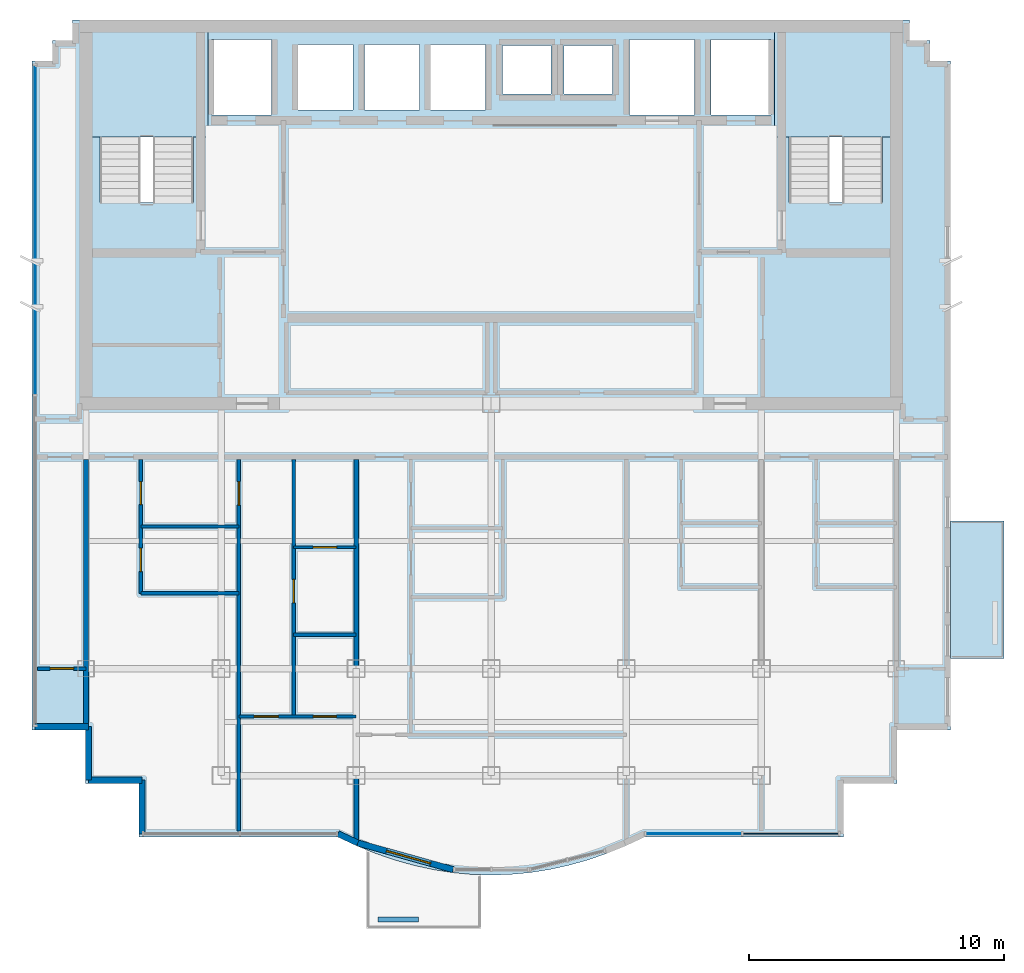
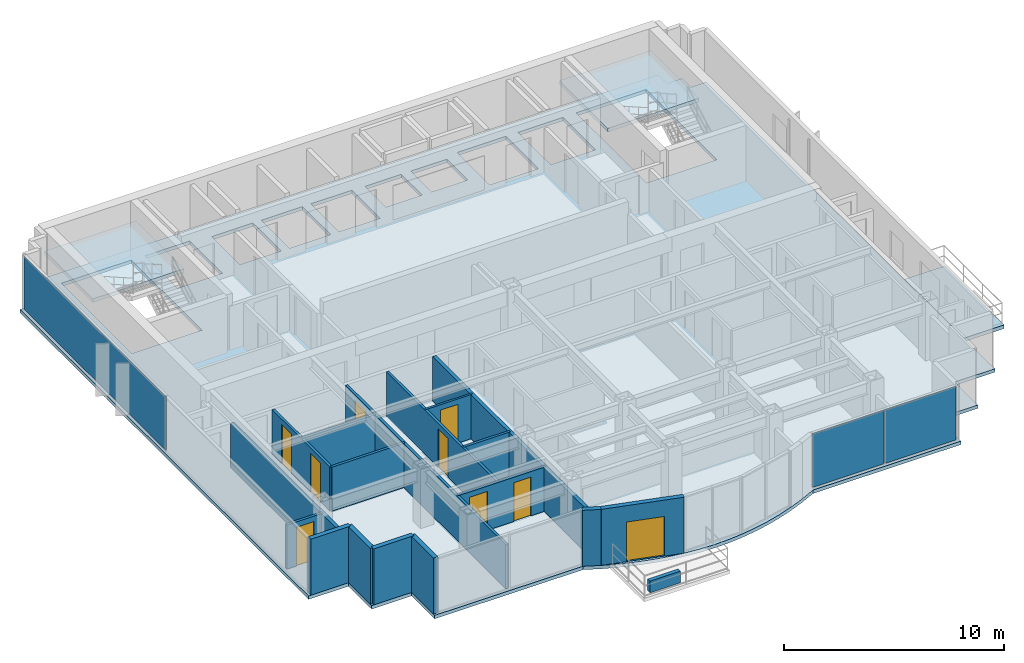
# One storey, part 4 of 9: 18 walls, 9 doors, 4 slabs, 3 plates, 9 openings, 4 elements without a shape of their own.
"""IFC4 building model written with IfcOpenShell, lengths in metres."""

import ifcopenshell
import ifcopenshell.guid

model = None  # the IFC model being written
_history = None  # IfcOwnerHistory: only IFC2X3 demands one
_inside = {}  # id of a spatial element -> (the spatial element, [elements in it])
_under = {}  # id of a project, library or spatial element -> (it, [spatial elements below it])
_declared = {}  # id of a project -> (the project, [libraries it declares])
_typed = {}  # id of a type object -> (the type object, [elements of that type])
_made_of = {}  # id of a material, layer set ... -> (it, [elements and type objects made of it])


def new_model(schema):
    """Start an empty IFC model of exactly this schema.

    Asked for "IFC4X3", IfcOpenShell would pick the latest addendum, in which some entities
    have other attributes; the version numbers below select the first issue.
    IFC2X3 requires an IfcOwnerHistory on every rooted entity: one is made here for all.
    """
    global model, _history
    if schema == "IFC4X3":
        model = ifcopenshell.file(schema_version=(4, 3, 0, 0))
    else:
        model = ifcopenshell.file(schema=schema)
    _inside.clear()
    _under.clear()
    _declared.clear()
    _typed.clear()
    _made_of.clear()
    _history = None
    if model.schema == "IFC2X3":
        org = make("IfcOrganization", Name="unknown")
        user = make(
            "IfcPersonAndOrganization",
            ThePerson=make("IfcPerson", FamilyName="unknown"),
            TheOrganization=org,
        )
        app = make(
            "IfcApplication",
            ApplicationDeveloper=org,
            Version="unknown",
            ApplicationFullName="unknown",
            ApplicationIdentifier="unknown",
        )
        _history = make(
            "IfcOwnerHistory",
            OwningUser=user,
            OwningApplication=app,
            ChangeAction="ADDED",
            CreationDate=0,
        )
    return model


def make(cls, **values):
    """One entity of the class cls with the attributes given. An attribute that is None is left unset."""
    return model.create_entity(
        cls, **{name: value for name, value in values.items() if value is not None}
    )


def rooted(cls, **values):
    """An entity with a GlobalId (a new one), such as an element, a storey or a relation."""
    return make(cls, GlobalId=ifcopenshell.guid.new(), OwnerHistory=_history, **values)


def si_unit(unit_type, name, prefix=None):
    """IfcSIUnit, for example si_unit("LENGTHUNIT", "METRE", prefix="MILLI")."""
    return make("IfcSIUnit", UnitType=unit_type, Prefix=prefix, Name=name)


def assignment(units):
    """IfcUnitAssignment: the units of a project."""
    return None if units is None else make("IfcUnitAssignment", Units=units)


def point(xyz):
    """IfcCartesianPoint."""
    return None if xyz is None else make("IfcCartesianPoint", Coordinates=xyz)


def direction(xyz):
    """IfcDirection."""
    return None if xyz is None else make("IfcDirection", DirectionRatios=xyz)


def frame(location, z_axis=None, x_axis=None):
    """IfcAxis2Placement3D, a coordinate frame: its origin and axes. An axis left out is left unset."""
    return make(
        "IfcAxis2Placement3D",
        Location=point(location),
        Axis=direction(z_axis),
        RefDirection=direction(x_axis),
    )


def frame_2d(location, x_axis=None):
    """IfcAxis2Placement2D, a coordinate frame in the plane: its origin and x axis."""
    return make(
        "IfcAxis2Placement2D", Location=point(location), RefDirection=direction(x_axis)
    )


def origin():
    """The frame at (0, 0, 0) with its axes left unset."""
    return frame((0.0, 0.0, 0.0))


def origin_2d():
    """The frame at (0, 0) in the plane with its x axis left unset."""
    return frame_2d((0.0, 0.0))


def place(relative_to, where):
    """IfcLocalPlacement: puts the frame where relative to a parent placement (None: the world)."""
    return make(
        "IfcLocalPlacement", PlacementRelTo=relative_to, RelativePlacement=where
    )


def context(
    kind, dimensions, precision=None, world=None, true_north=None, identifier=None
):
    """IfcGeometricRepresentationContext, for example the 3D "Model" context."""
    return make(
        "IfcGeometricRepresentationContext",
        ContextIdentifier=identifier,
        ContextType=kind,
        CoordinateSpaceDimension=dimensions,
        Precision=precision,
        WorldCoordinateSystem=world,
        TrueNorth=true_north,
    )


def subcontext(parent, identifier, kind, view, scale=None):
    """IfcGeometricRepresentationSubContext, for example "Body" below "Model"."""
    return make(
        "IfcGeometricRepresentationSubContext",
        ContextIdentifier=identifier,
        ContextType=kind,
        ParentContext=parent,
        TargetScale=scale,
        TargetView=view,
    )


def project(units=None, contexts=None):
    """IfcProject with its units and contexts."""
    return rooted(
        "IfcProject",
        Name="project",
        RepresentationContexts=contexts,
        UnitsInContext=assignment(units),
    )


def spatial(cls, under=None, at=None, **own):
    """A site, building, storey or space (cls), placed at a placement, below another one or the project."""
    s = rooted(cls, ObjectPlacement=at, **own)
    if under is not None:
        _under.setdefault(under.id(), (under, []))[1].append(s)
    return s


def polyline(points):
    """IfcPolyline through the points."""
    return make("IfcPolyline", Points=[point(p) for p in points])


def profile(cls, at=None, kind="AREA", **sizes):
    """A parametric profile (cls). Its sizes go by their IFC names, for example OverallWidth=200.0."""
    return make(cls, ProfileType=kind, Position=at, **sizes)


def rectangle(**sizes):
    """IfcRectangleProfileDef."""
    return profile("IfcRectangleProfileDef", **sizes)


def outline(outer, holes=None, kind="AREA"):
    """IfcArbitraryClosedProfileDef: a profile drawn as a closed curve; with holes, ...WithVoids."""
    if holes is None:
        return make("IfcArbitraryClosedProfileDef", ProfileType=kind, OuterCurve=outer)
    return make(
        "IfcArbitraryProfileDefWithVoids",
        ProfileType=kind,
        OuterCurve=outer,
        InnerCurves=holes,
    )


def extrude(swept, where, along, depth):
    """IfcExtrudedAreaSolid: the profile swept, set in the frame where, extruded along a direction by depth."""
    return make(
        "IfcExtrudedAreaSolid",
        SweptArea=swept,
        Position=where,
        ExtrudedDirection=direction(along),
        Depth=depth,
    )


def shape(context_of_items, identifier, shape_type, items):
    """IfcShapeRepresentation: the items that make up one representation, for example the "Body"."""
    return make(
        "IfcShapeRepresentation",
        ContextOfItems=context_of_items,
        RepresentationIdentifier=identifier,
        RepresentationType=shape_type,
        Items=items,
    )


def source(mapping_origin, context_of_items, identifier, shape_type, items):
    """IfcRepresentationMap: a shape defined once, which mapped items show again and again."""
    return make(
        "IfcRepresentationMap",
        MappingOrigin=mapping_origin,
        MappedRepresentation=shape(context_of_items, identifier, shape_type, items),
    )


def transform(
    local_origin,
    x_axis=None,
    y_axis=None,
    z_axis=None,
    scale=None,
    scale2=None,
    scale3=None,
    uniform=True,
):
    """IfcCartesianTransformationOperator3D, or its non-uniform kind. x_axis, y_axis, z_axis: its Axis1, 2, 3."""
    if uniform:
        return make(
            "IfcCartesianTransformationOperator3D",
            Axis1=direction(x_axis),
            Axis2=direction(y_axis),
            LocalOrigin=point(local_origin),
            Scale=scale,
            Axis3=direction(z_axis),
        )
    return make(
        "IfcCartesianTransformationOperator3DnonUniform",
        Axis1=direction(x_axis),
        Axis2=direction(y_axis),
        LocalOrigin=point(local_origin),
        Scale=scale,
        Axis3=direction(z_axis),
        Scale2=scale2,
        Scale3=scale3,
    )


def mapped(mapping_source, mapping_target):
    """IfcMappedItem: shows the shape of a source again, moved by a transform."""
    return make(
        "IfcMappedItem", MappingSource=mapping_source, MappingTarget=mapping_target
    )


def material(Name=None, Category=None):
    """IfcMaterial."""
    return make("IfcMaterial", Name=Name, Category=Category)


def layer(
    of_material, thickness, ventilated=None, Name=None, Category=None, Priority=None
):
    """IfcMaterialLayer: one layer of a wall or slab, of a material (None: an air gap)."""
    return make(
        "IfcMaterialLayer",
        Material=of_material,
        LayerThickness=thickness,
        IsVentilated=ventilated,
        Name=Name,
        Category=Category,
        Priority=Priority,
    )


def layer_set(layers, Name=None):
    """IfcMaterialLayerSet."""
    return make("IfcMaterialLayerSet", MaterialLayers=layers, LayerSetName=Name)


def made_of(thing, what):
    """Note that an element or type object is made of a material, layer set ...; save() writes the relation."""
    if what is not None:
        _made_of.setdefault(what.id(), (what, []))[1].append(thing)
    return thing


def type_object(cls, material=None, **own):
    """A type object (cls), such as IfcWallType, which elements share."""
    return made_of(rooted(cls, **own), material)


def element(
    cls,
    number,
    at=None,
    inside=None,
    cuts=None,
    type_object=None,
    material=None,
    context=None,
    identifier="Body",
    shape_type=None,
    held_by="IfcProductDefinitionShape",
    body=None,
    shapes=None,
    **own,
):
    """One element of the class cls, such as IfcWall. Its Tag is "e" and its number.

    at: its placement. inside: the storey or other place that contains it. cuts: it is an
    opening in that element (IfcRelVoidsElement). A single representation is given by context,
    identifier, shape_type and body (its items); several are given by shapes. held_by: the class
    of the entity that holds the representations. save() writes the other relations.
    """
    e = rooted(cls, Tag="e%d" % number, ObjectPlacement=at, **own)
    if body is not None:
        shapes = [shape(context, identifier, shape_type, body)]
    if shapes is not None:
        e.Representation = make(held_by, Representations=shapes)
    if inside is not None:
        _inside.setdefault(inside.id(), (inside, []))[1].append(e)
    if cuts is not None:
        rooted(
            "IfcRelVoidsElement", RelatingBuildingElement=cuts, RelatedOpeningElement=e
        )
    if type_object is not None:
        _typed.setdefault(type_object.id(), (type_object, []))[1].append(e)
    return made_of(e, material)


def fill(opening, filler):
    """IfcRelFillsElement: the door or window that sits in an opening."""
    return rooted(
        "IfcRelFillsElement",
        RelatingOpeningElement=opening,
        RelatedBuildingElement=filler,
    )


def aggregate(whole, parts):
    """IfcRelAggregates: a whole, such as a stair, and the parts it consists of."""
    return rooted("IfcRelAggregates", RelatingObject=whole, RelatedObjects=parts)


def save(model, path):
    """Write the relations noted so far, then the file.

    IfcRelAggregates (storeys below a building ...), IfcRelContainedInSpatialStructure (elements
    in a storey), IfcRelDefinesByType, IfcRelAssociatesMaterial and IfcRelDeclares: one each for
    every whole, place, type object, material and project.
    """
    for whole, parts in _under.values():
        aggregate(whole, parts)
    for where, things in _inside.values():
        rooted(
            "IfcRelContainedInSpatialStructure",
            RelatedElements=things,
            RelatingStructure=where,
        )
    for kind, things in _typed.values():
        rooted("IfcRelDefinesByType", RelatedObjects=things, RelatingType=kind)
    for what, things in _made_of.values():
        rooted("IfcRelAssociatesMaterial", RelatedObjects=things, RelatingMaterial=what)
    for by, libraries in _declared.values():
        rooted("IfcRelDeclares", RelatingContext=by, RelatedDefinitions=libraries)
    model.write(path)


model = new_model("IFC4")

# Units and contexts
model_context = context("Model", 3, precision=1e-05, world=origin(), true_north=direction((0.0, 1.0)))
body_context = subcontext(model_context, "Body", "Model", "MODEL_VIEW")
ifc_project = project(units=[si_unit("LENGTHUNIT", "METRE"), si_unit("AREAUNIT", "SQUARE_METRE"), si_unit("VOLUMEUNIT", "CUBIC_METRE"), si_unit("PLANEANGLEUNIT", "RADIAN"), si_unit("MASSUNIT", "GRAM", prefix="KILO")], contexts=[model_context])

# Site, building, storey
site_placement = place(None, origin())
site = spatial("IfcSite", under=ifc_project, at=site_placement, CompositionType="ELEMENT")
building_placement = place(site_placement, origin())
building = spatial("IfcBuilding", under=site, at=building_placement, Name="Qianlan Lanfeng Residences", CompositionType="ELEMENT")
storey_placement = place(building_placement, frame((0.0, 0.0, 246.199951171875)))
storey = spatial("IfcBuildingStorey", under=building, at=storey_placement, Name="L68", CompositionType="ELEMENT", Elevation=246.199951171875)

# Slabs
ifc_material_1 = material(Name="Concrete C42", Category="concrete")
ifc_layer_1 = layer(ifc_material_1, 0.199951171875)
ifc_layer_set_1 = layer_set([ifc_layer_1], Name="Concrete C42")
slab_type_1 = type_object("IfcSlabType", Name="S-BAL-200", PredefinedType="FLOOR", material=ifc_layer_set_1)
slab_1_placement = place(storey_placement, frame((0.0, 0.0, -0.199951171875)))
element("IfcSlab", 1, at=slab_1_placement, inside=storey, type_object=slab_type_1, Name="L68 Planted Tree Balcony Slab EB-S", PredefinedType="FLOOR", context=body_context, shape_type="SweptSolid", body=[
    extrude(outline(polyline([(44.52001953125, 20.60009765625), (44.52001953125, 15.199951171875), (46.6201171875, 15.199951171875), (46.6201171875, 20.60009765625), (44.52001953125, 20.60009765625)])), origin(), (0.0, 0.0, 1.0), 0.199951171875),
])
ifc_layer_2 = layer(ifc_material_1, 0.18994140625)
ifc_layer_set_2 = layer_set([ifc_layer_2], Name="Concrete C42")
slab_type_2 = type_object("IfcSlabType", Name="S-FL-190", PredefinedType="FLOOR", material=ifc_layer_set_2)
slab_2_placement = place(storey_placement, frame((0.0, 0.0, -0.18994140625)))
element("IfcSlab", 2, at=slab_2_placement, inside=storey, type_object=slab_type_2, Name="L68 Structural Floor Slab", PredefinedType="FLOOR", context=body_context, shape_type="SweptSolid", body=[
    extrude(outline(polyline([(8.47998046875, 12.39990234375), (10.580078125, 12.39990234375), (10.580078125, 10.300048828125), (12.679931640625, 10.300048828125), (12.679931640625, 8.199951171875), (20.4599609375, 8.199951171875), (21.215087890625, 7.847900390625), (21.969970703125, 7.5439453125), (22.72509765625, 7.285888671875), (23.47998046875, 7.074951171875), (24.235107421875, 6.910888671875), (24.989990234375, 6.7939453125), (25.7451171875, 6.722900390625), (26.5, 6.699951171875), (27.2548828125, 6.722900390625), (28.010009765625, 6.7939453125), (28.764892578125, 6.910888671875), (29.52001953125, 7.074951171875), (30.27490234375, 7.285888671875), (31.030029296875, 7.5439453125), (31.784912109375, 7.847900390625), (32.5400390625, 8.199951171875), (40.320068359375, 8.199951171875), (40.320068359375, 10.300048828125), (42.419921875, 10.300048828125), (42.419921875, 12.39990234375), (44.52001953125, 12.39990234375), (44.52001953125, 38.64990234375), (43.719970703125, 38.64990234375), (43.719970703125, 39.449951171875), (42.919921875, 39.449951171875), (42.919921875, 40.25), (10.080078125, 40.25), (10.080078125, 39.449951171875), (9.280029296875, 39.449951171875), (9.280029296875, 38.64990234375), (8.47998046875, 38.64990234375), (8.47998046875, 12.39990234375)]), holes=[polyline([(11.139892578125, 33.080078125), (11.139892578125, 39.5), (14.820068359375, 39.5), (14.820068359375, 33.080078125), (11.139892578125, 33.080078125)]), polyline([(38.179931640625, 33.080078125), (38.179931640625, 39.5), (41.860107421875, 39.5), (41.860107421875, 33.080078125), (38.179931640625, 33.080078125)]), polyline([(15.52001953125, 36.52001953125), (15.52001953125, 39.47998046875), (17.8798828125, 39.47998046875), (17.8798828125, 36.52001953125), (15.52001953125, 36.52001953125)]), polyline([(35.1201171875, 36.52001953125), (35.1201171875, 39.47998046875), (37.47998046875, 39.47998046875), (37.47998046875, 36.52001953125), (35.1201171875, 36.52001953125)]), polyline([(31.919921875, 36.52001953125), (31.919921875, 39.47998046875), (34.47998046875, 39.47998046875), (34.47998046875, 36.52001953125), (31.919921875, 36.52001953125)]), polyline([(18.919921875, 36.719970703125), (18.919921875, 39.280029296875), (21.080078125, 39.280029296875), (21.080078125, 36.719970703125), (18.919921875, 36.719970703125)]), polyline([(21.52001953125, 36.719970703125), (21.52001953125, 39.280029296875), (23.679931640625, 39.280029296875), (23.679931640625, 36.719970703125), (21.52001953125, 36.719970703125)]), polyline([(24.1201171875, 36.719970703125), (24.1201171875, 39.280029296875), (26.280029296875, 39.280029296875), (26.280029296875, 36.719970703125), (24.1201171875, 36.719970703125)]), polyline([(26.949951171875, 37.35009765625), (26.949951171875, 39.25), (28.85009765625, 39.25), (28.85009765625, 37.35009765625), (26.949951171875, 37.35009765625)]), polyline([(29.35009765625, 37.35009765625), (29.35009765625, 39.25), (31.25, 39.25), (31.25, 37.35009765625), (29.35009765625, 37.35009765625)])]), origin(), (0.0, 0.0, 1.0), 0.18994140625),
])

# Stair, slab
stair_type = type_object("IfcStairType", Name="STR-MAIN", PredefinedType="HALF_TURN_STAIR", material=ifc_material_1)
stair_1_placement = place(storey_placement, origin())
stair_1 = element("IfcStair", 3, at=stair_1_placement, inside=storey, type_object=stair_type, Name="L68 Exit Stair ST-1", PredefinedType="HALF_TURN_STAIR")
ifc_layer_3 = layer(ifc_material_1, 0.179931640625)
ifc_layer_set_3 = layer_set([ifc_layer_3], Name="Concrete C42")
slab_type_3 = type_object("IfcSlabType", Name="S-LND-180", PredefinedType="LANDING", material=ifc_layer_set_3)
slab_3_placement = place(storey_placement, frame((0.0, 0.0, 1.449951171875)))
slab_3 = element("IfcSlab", 4, at=slab_3_placement, type_object=slab_type_3, Name="ST-1 landing 1", PredefinedType="LANDING", context=body_context, shape_type="SweptSolid", body=[
    extrude(outline(polyline([(10.580078125, 35.659912109375), (15.3798828125, 35.659912109375), (15.3798828125, 40.050048828125), (10.580078125, 40.050048828125), (10.580078125, 35.659912109375)])), origin(), (0.0, 0.0, 1.0), 0.2001953125),
])
aggregate(stair_1, [slab_3])

stair_2_placement = place(storey_placement, origin())
stair_2 = element("IfcStair", 5, at=stair_2_placement, inside=storey, type_object=stair_type, Name="L68 Exit Stair ST-2", PredefinedType="HALF_TURN_STAIR")
slab_4_placement = place(storey_placement, frame((0.0, 0.0, 1.449951171875)))
slab_4 = element("IfcSlab", 6, at=slab_4_placement, type_object=slab_type_3, Name="ST-2 landing 1", PredefinedType="LANDING", context=body_context, shape_type="SweptSolid", body=[
    extrude(outline(polyline([(37.6201171875, 35.659912109375), (42.419921875, 35.659912109375), (42.419921875, 40.050048828125), (37.6201171875, 40.050048828125), (37.6201171875, 35.659912109375)])), origin(), (0.0, 0.0, 1.0), 0.2001953125),
])
aggregate(stair_2, [slab_4])

# Curtain wall, plate
ifc_material_2 = material(Name="Anodised Bronze Aluminium 6063-T6", Category="aluminium")
ifc_layer_4 = layer(ifc_material_2, 0.219970703125)
ifc_layer_set_4 = layer_set([ifc_layer_4], Name="Anodised Bronze Aluminium 6063-T6")
curtain_wall_type = type_object("IfcCurtainWallType", Name="CW-06", PredefinedType="NOTDEFINED", material=ifc_layer_set_4)
curtain_wall_1_placement = place(storey_placement, origin())
curtain_wall_1 = element("IfcCurtainWall", 7, at=curtain_wall_1_placement, inside=storey, type_object=curtain_wall_type, Name="L68 Unitised Curtain Wall CWR-L68-04 (CW-06)", PredefinedType="NOTDEFINED")
ifc_material_3 = material(Name="Dark Bronze Tinted Insulated Glass", Category="glass")
ifc_layer_5 = layer(ifc_material_3, 0.0380859375)
ifc_layer_set_5 = layer_set([ifc_layer_5], Name="Dark Bronze Tinted Insulated Glass")
plate_type_1 = type_object("IfcPlateType", Name="PNL-GLZ-BRZ", PredefinedType="CURTAIN_PANEL", material=ifc_layer_set_5)
shared_shape_1 = source(origin(), body_context, "Body", "SweptSolid", [
    extrude(rectangle(XDim=3.73291015625, YDim=0.0380859375, at=origin_2d()), origin(), (0.0, 0.0, 1.0), 2.9619140625),
])
plate_1_placement = place(storey_placement, frame((34.45361328125, 8.320068359375, 0.073974609375), z_axis=(0.0, 0.0, 1.0), x_axis=(1.0, 0.0, 0.0)))
plate_1 = element("IfcPlate", 8, at=plate_1_placement, type_object=plate_type_1, Name="CWR-L68-04 Curtain Panel 1", PredefinedType="CURTAIN_PANEL", context=body_context, shape_type="MappedRepresentation", body=[
    mapped(shared_shape_1, transform((0.0, 0.0, 0.0), scale=1.0)),
])

curtain_wall_2_placement = place(storey_placement, origin())
curtain_wall_2 = element("IfcCurtainWall", 9, at=curtain_wall_2_placement, inside=storey, type_object=curtain_wall_type, Name="L68 Unitised Curtain Wall CWR-L68-05 (CW-06)", PredefinedType="NOTDEFINED")
shared_shape_2 = source(origin(), body_context, "Body", "SweptSolid", [
    extrude(rectangle(XDim=12.89453125, YDim=0.0380859375, at=origin_2d()), origin(), (0.0, 0.0, 1.0), 2.9619140625),
])
plate_2_placement = place(storey_placement, frame((8.60009765625, 32.0087890625, 0.073974609375), z_axis=(0.0, 0.0, 1.0), x_axis=(0.0, -1.0, 0.0)))
plate_2 = element("IfcPlate", 10, at=plate_2_placement, type_object=plate_type_1, Name="CWR-L68-05 Curtain Panel 1", PredefinedType="CURTAIN_PANEL", context=body_context, shape_type="MappedRepresentation", body=[
    mapped(shared_shape_2, transform((0.0, 0.0, 0.0), scale=1.0)),
])
aggregate(curtain_wall_2, [plate_2])

# Plate
ifc_material_4 = material(Name="Perforated Champagne Gold Aluminium Panel", Category="aluminium")
ifc_layer_6 = layer(ifc_material_4, 0.0400390625)
ifc_layer_set_6 = layer_set([ifc_layer_6], Name="Perforated Champagne Gold Aluminium Panel")
plate_type_2 = type_object("IfcPlateType", Name="PNL-PRF-GLD", PredefinedType="CURTAIN_PANEL", material=ifc_layer_set_6)
shared_shape_3 = source(origin(), body_context, "Body", "SweptSolid", [
    extrude(rectangle(XDim=3.73291015625, YDim=0.0400390625, at=origin_2d()), origin(), (0.0, 0.0, 1.0), 2.9619140625),
])
plate_3_placement = place(storey_placement, frame((38.259521484375, 8.320068359375, 0.073974609375), z_axis=(0.0, 0.0, 1.0), x_axis=(1.0, 0.0, 0.0)))
plate_3 = element("IfcPlate", 11, at=plate_3_placement, type_object=plate_type_2, Name="CWR-L68-04 Curtain Panel 2", PredefinedType="CURTAIN_PANEL", context=body_context, shape_type="MappedRepresentation", body=[
    mapped(shared_shape_3, transform((0.0, 0.0, 0.0), scale=1.0)),
])

aggregate(curtain_wall_1, [plate_1, plate_3])

# Walls
ifc_layer_7 = layer(ifc_material_1, 0.239990234375)
ifc_layer_set_7 = layer_set([ifc_layer_7], Name="Concrete C42")
wall_type_1 = type_object("IfcWallType", Name="EW-240", PredefinedType="SOLIDWALL", material=ifc_layer_set_7)
wall_1_placement = place(storey_placement, frame((8.60009765625, 12.52001953125, 0.0), z_axis=(0.0, 0.0, 1.0), x_axis=(1.0, 0.0, 0.0)))
element("IfcWall", 12, at=wall_1_placement, inside=storey, type_object=wall_type_1, Name="L68 Exterior Facade Spandrel Wall 1", PredefinedType="SOLIDWALL", context=body_context, shape_type="SweptSolid", body=[
    extrude(rectangle(XDim=2.099853515625, YDim=0.239990234375, at=frame_2d((1.0498046875, 0.0))), origin(), (0.0, 0.0, 1.0), 3.110107421875),
])
for number, where, z_axis, x_axis, name in (
    (13, (10.699951171875, 12.52001953125, 0.0), (0.0, 0.0, 1.0), (0.0, -1.0, 0.0), "L68 Exterior Facade Spandrel Wall 2"),
    (14, (10.699951171875, 10.419921875, 0.0), (0.0, 0.0, 1.0), (1.0, 0.0, 0.0), "L68 Exterior Facade Spandrel Wall 3"),
):
    element("IfcWall", number, at=place(storey_placement, frame(where, z_axis=z_axis, x_axis=x_axis)), inside=storey, type_object=wall_type_1, Name=name, PredefinedType="SOLIDWALL", context=body_context, shape_type="SweptSolid", body=[
        extrude(rectangle(XDim=2.10009765625, YDim=0.239990234375, at=frame_2d((1.050048828125, 0.0))), origin(), (0.0, 0.0, 1.0), 3.110107421875),
    ])
wall_2_placement = place(storey_placement, frame((12.800048828125, 10.419921875, 0.0), z_axis=(0.0, 0.0, 1.0), x_axis=(0.0, -1.0, 0.0)))
element("IfcWall", 15, at=wall_2_placement, inside=storey, type_object=wall_type_1, Name="L68 Exterior Facade Spandrel Wall 4", PredefinedType="SOLIDWALL", context=body_context, shape_type="SweptSolid", body=[
    extrude(rectangle(XDim=2.099853515625, YDim=0.239990234375, at=frame_2d((1.0498046875, 0.0))), origin(), (0.0, 0.0, 1.0), 3.110107421875),
])
wall_3_placement = place(storey_placement, frame((20.487060546875, 8.320068359375, 0.0), z_axis=(0.0, 0.0, 1.0), x_axis=(0.906190424584, -0.422869855147, 0.0)))
element("IfcWall", 16, at=wall_3_placement, inside=storey, type_object=wall_type_1, Name="L68 Exterior Facade Spandrel Wall 5", PredefinedType="SOLIDWALL", context=body_context, shape_type="SweptSolid", body=[
    extrude(rectangle(XDim=0.856201171875, YDim=0.239990234375, at=frame_2d((0.42822265625, 0.0))), origin(), (0.0, 0.0, 1.0), 3.110107421875),
])

# Wall, opening, door
wall_4_placement = place(storey_placement, frame((21.262939453125, 7.9580078125, 0.0), z_axis=(0.0, 0.0, 1.0), x_axis=(0.963152398068, -0.268956238255, 0.0)))
wall_4 = element("IfcWall", 17, at=wall_4_placement, inside=storey, type_object=wall_type_1, Name="L68 Terrace/Balcony Access Exterior Wall 6", PredefinedType="SOLIDWALL", context=body_context, shape_type="SweptSolid", body=[
    extrude(rectangle(XDim=3.885009765625, YDim=0.239990234375, at=frame_2d((1.9423828125, 0.0))), origin(), (0.0, 0.0, 1.0), 3.110107421875),
])
opening_1_placement = place(wall_4_placement, frame((1.1689453125, 0.0, 0.0)))
opening_1 = element("IfcOpeningElement", 18, at=opening_1_placement, cuts=wall_4, Name="Opening L68-D-SB-C", PredefinedType="OPENING", context=body_context, shape_type="SweptSolid", body=[
    extrude(rectangle(XDim=1.800048828125, YDim=2.199951171875, at=frame_2d((0.89990234375, 1.10009765625))), frame((0.0, 0.1298828125, 0.0), z_axis=(0.0, -1.0, 0.0), x_axis=(1.0, 0.0, 0.0)), (0.0, 0.0, 1.0), 0.260009765625),
])
ifc_material_5 = material(Name="Anodised Bronze Aluminium Framed Glass", Category="aluminium")
door_type_1 = type_object("IfcDoorType", Name="DT-BAL1", OperationType="NOTDEFINED", PredefinedType="DOOR", material=ifc_material_5)
door_1_placement = place(opening_1_placement, frame((1.800048828125, 0.0, 0.0), z_axis=(0.0, 0.0, 1.0), x_axis=(-1.0, 0.0, 0.0)))
door_1 = element("IfcDoor", 19, at=door_1_placement, inside=storey, type_object=door_type_1, Name="L68 Exterior Access Door SB-C", OperationType="DOUBLE_DOOR_SLIDING", OverallHeight=2.199951171875, OverallWidth=1.800048828125, PredefinedType="DOOR", context=body_context, shape_type="SweptSolid", body=[
    extrude(rectangle(XDim=1.800048828125, YDim=2.199951171875, at=frame_2d((0.89990234375, 1.10009765625))), frame((0.0, 0.02490234375, 0.0), z_axis=(0.0, -1.0, 0.0), x_axis=(1.0, 0.0, 0.0)), (0.0, 0.0, 1.0), 0.050048828125),
])
fill(opening_1, door_1)

# Wall
ifc_layer_8 = layer(ifc_material_1, 0.199951171875)
ifc_layer_set_8 = layer_set([ifc_layer_8], Name="Concrete C42")
wall_type_2 = type_object("IfcWallType", Name="PL-TREE-200", PredefinedType="PARAPET", material=ifc_layer_set_8)
wall_5_placement = place(storey_placement, frame((22.050048828125, 4.949951171875, 0.0), z_axis=(0.0, 0.0, 1.0), x_axis=(1.0, 0.0, 0.0)))
element("IfcWall", 20, at=wall_5_placement, inside=storey, type_object=wall_type_2, Name="L68 Balcony Tree Planter Curb SB-C", PredefinedType="PARAPET", context=body_context, shape_type="SweptSolid", body=[
    extrude(rectangle(XDim=1.599853515625, YDim=0.199951171875, at=frame_2d((0.7998046875, 0.0))), origin(), (0.0, 0.0, 1.0), 0.650146484375),
])

# Wall, opening, door
ifc_material_6 = material(Name="Demountable Acoustic Framing Partition 110 mm")
ifc_layer_9 = layer(ifc_material_6, 0.110107421875)
ifc_layer_set_9 = layer_set([ifc_layer_9], Name="Demountable Acoustic Framing Partition 110 mm")
wall_type_3 = type_object("IfcWallType", Name="PW-110", PredefinedType="MOVABLE", material=ifc_layer_set_9)
wall_6_placement = place(storey_placement, frame((18.75, 19.56005859375, 0.0), z_axis=(0.0, 0.0, 1.0), x_axis=(1.0, 0.0, 0.0)))
wall_6 = element("IfcWall", 21, at=wall_6_placement, inside=storey, type_object=wall_type_3, Name="L68 U01 Wardrobe Split", PredefinedType="MOVABLE", context=body_context, shape_type="SweptSolid", body=[
    extrude(rectangle(XDim=2.449951171875, YDim=0.110107421875, at=frame_2d((1.22509765625, 0.0))), origin(), (0.0, 0.0, 1.0), 2.449951171875),
])
opening_2_placement = place(wall_6_placement, frame((0.764892578125, 0.0, 0.0)))
opening_2 = element("IfcOpeningElement", 22, at=opening_2_placement, cuts=wall_6, Name="Opening L68-D23", PredefinedType="OPENING", context=body_context, shape_type="SweptSolid", body=[
    extrude(rectangle(XDim=0.919921875, YDim=2.14990234375, at=frame_2d((0.4599609375, 1.074951171875))), frame((0.0, 0.06494140625, 0.0), z_axis=(0.0, -1.0, 0.0), x_axis=(1.0, 0.0, 0.0)), (0.0, 0.0, 1.0), 0.130126953125),
])
ifc_material_7 = material(Name="Glazed Timber Kitchen/Study Door", Category="wood")
door_type_2 = type_object("IfcDoorType", Name="DT-INT", OperationType="NOTDEFINED", PredefinedType="DOOR", material=ifc_material_7)
door_2_placement = place(opening_2_placement, origin())
door_2 = element("IfcDoor", 23, at=door_2_placement, inside=storey, type_object=door_type_2, Name="L68 U01 Dressing Inner Door L68-D23 (DT-INT)", OperationType="SINGLE_SWING_RIGHT", OverallHeight=2.14990234375, OverallWidth=0.919921875, PredefinedType="DOOR", context=body_context, shape_type="SweptSolid", body=[
    extrude(rectangle(XDim=0.919921875, YDim=2.14990234375, at=frame_2d((0.4599609375, 1.074951171875))), frame((0.0, 0.02490234375, 0.0), z_axis=(0.0, -1.0, 0.0), x_axis=(1.0, 0.0, 0.0)), (0.0, 0.0, 1.0), 0.050048828125),
])
fill(opening_2, door_2)

ifc_material_8 = material(Name="Moisture-Resistant Gypsum Partition 135 mm")
ifc_layer_10 = layer(ifc_material_8, 0.135009765625)
ifc_layer_set_10 = layer_set([ifc_layer_10], Name="Moisture-Resistant Gypsum Partition 135 mm")
wall_type_4 = type_object("IfcWallType", Name="PW-135", PredefinedType="PARTITIONING", material=ifc_layer_set_10)
wall_7_placement = place(storey_placement, frame((16.60009765625, 8.419921875, 0.0), z_axis=(0.0, 0.0, 1.0), x_axis=(0.0, 1.0, 0.0)))
wall_7 = element("IfcWall", 24, at=wall_7_placement, inside=storey, type_object=wall_type_4, Name="L68 U01 Bay Spine Wall 1", PredefinedType="PARTITIONING", context=body_context, shape_type="SweptSolid", body=[
    extrude(rectangle(XDim=14.580078125, YDim=0.135009765625, at=frame_2d((7.2900390625, 0.0))), origin(), (0.0, 0.0, 1.0), 2.449951171875),
])
opening_3_placement = place(wall_7_placement, frame((12.794921875, 0.0, 0.0)))
opening_3 = element("IfcOpeningElement", 25, at=opening_3_placement, cuts=wall_7, Name="Opening L68-D17", PredefinedType="OPENING", context=body_context, shape_type="SweptSolid", body=[
    extrude(rectangle(XDim=0.919921875, YDim=2.14990234375, at=frame_2d((0.4599609375, 1.074951171875))), frame((0.0, 0.07763671875, 0.0), z_axis=(0.0, -1.0, 0.0), x_axis=(1.0, 0.0, 0.0)), (0.0, 0.0, 1.0), 0.155029296875),
])
door_3_placement = place(opening_3_placement, origin())
door_3 = element("IfcDoor", 26, at=door_3_placement, inside=storey, type_object=door_type_2, Name="L68 U01 Internal Hall Door L68-D17 (DT-INT)", OperationType="SINGLE_SWING_LEFT", OverallHeight=2.14990234375, OverallWidth=0.919921875, PredefinedType="DOOR", context=body_context, shape_type="SweptSolid", body=[
    extrude(rectangle(XDim=0.919921875, YDim=2.14990234375, at=frame_2d((0.4599609375, 1.074951171875))), frame((0.0, 0.02490234375, 0.0), z_axis=(0.0, -1.0, 0.0), x_axis=(1.0, 0.0, 0.0)), (0.0, 0.0, 1.0), 0.050048828125),
])
fill(opening_3, door_3)

# Wall, openings, doors
wall_8_placement = place(storey_placement, frame((12.75, 17.7529296875, 0.0), z_axis=(0.0, 0.0, 1.0), x_axis=(0.0, 1.0, 0.0)))
wall_8 = element("IfcWall", 27, at=wall_8_placement, inside=storey, type_object=wall_type_4, Name="L68 U01 Wet Stack Spine", PredefinedType="PARTITIONING", context=body_context, shape_type="SweptSolid", body=[
    extrude(rectangle(XDim=5.2470703125, YDim=0.135009765625, at=frame_2d((2.62353515625, 0.0))), origin(), (0.0, 0.0, 1.0), 2.449951171875),
])
opening_4_placement = place(wall_8_placement, frame((0.85205078125, 0.0, 0.0)))
opening_4 = element("IfcOpeningElement", 28, at=opening_4_placement, cuts=wall_8, Name="Opening L68-D18", PredefinedType="OPENING", context=body_context, shape_type="SweptSolid", body=[
    extrude(rectangle(XDim=0.919921875, YDim=2.14990234375, at=frame_2d((0.4599609375, 1.074951171875))), frame((0.0, 0.07763671875, 0.0), z_axis=(0.0, -1.0, 0.0), x_axis=(1.0, 0.0, 0.0)), (0.0, 0.0, 1.0), 0.155029296875),
])
opening_5_placement = place(wall_8_placement, frame((3.486083984375, 0.0, 0.0)))
opening_5 = element("IfcOpeningElement", 29, at=opening_5_placement, cuts=wall_8, Name="Opening L68-D19", PredefinedType="OPENING", context=body_context, shape_type="SweptSolid", body=[
    extrude(rectangle(XDim=0.89990234375, YDim=2.14990234375, at=frame_2d((0.449951171875, 1.074951171875))), frame((0.0, 0.07763671875, 0.0), z_axis=(0.0, -1.0, 0.0), x_axis=(1.0, 0.0, 0.0)), (0.0, 0.0, 1.0), 0.155029296875),
])
door_4_placement = place(opening_4_placement, origin())
door_4 = element("IfcDoor", 30, at=door_4_placement, inside=storey, type_object=door_type_2, Name="L68 U01 Kitchen Door L68-D18 (DT-INT)", OperationType="SINGLE_SWING_RIGHT", OverallHeight=2.14990234375, OverallWidth=0.919921875, PredefinedType="DOOR", context=body_context, shape_type="SweptSolid", body=[
    extrude(rectangle(XDim=0.919921875, YDim=2.14990234375, at=frame_2d((0.4599609375, 1.074951171875))), frame((0.0, 0.02490234375, 0.0), z_axis=(0.0, -1.0, 0.0), x_axis=(1.0, 0.0, 0.0)), (0.0, 0.0, 1.0), 0.050048828125),
])
fill(opening_4, door_4)
ifc_material_9 = material(Name="Moisture-Resistant Timber Leaf", Category="wood")
door_type_3 = type_object("IfcDoorType", Name="DT-WC", OperationType="NOTDEFINED", PredefinedType="DOOR", material=ifc_material_9)
door_5_placement = place(opening_5_placement, origin())
door_5 = element("IfcDoor", 31, at=door_5_placement, inside=storey, type_object=door_type_3, Name="L68 U01 Bathroom Door L68-D19 (DT-WC)", OperationType="SINGLE_SWING_LEFT", OverallHeight=2.14990234375, OverallWidth=0.89990234375, PredefinedType="DOOR", context=body_context, shape_type="SweptSolid", body=[
    extrude(rectangle(XDim=0.89990234375, YDim=2.14990234375, at=frame_2d((0.449951171875, 1.074951171875))), frame((0.0, 0.02490234375, 0.0), z_axis=(0.0, -1.0, 0.0), x_axis=(1.0, 0.0, 0.0)), (0.0, 0.0, 1.0), 0.050048828125),
])
fill(opening_5, door_5)

# Walls
for number, where, z_axis, x_axis, name in (
    (32, (12.75, 17.7529296875, 0.0), (0.0, 0.0, 1.0), (1.0, 0.0, 0.0), "L68 U01 Kitchen South Wall"),
    (33, (12.75, 20.376953125, 0.0), (0.0, 0.0, 1.0), (1.0, 0.0, 0.0), "L68 U01 Bathroom South Wall"),
):
    element("IfcWall", number, at=place(storey_placement, frame(where, z_axis=z_axis, x_axis=x_axis)), inside=storey, type_object=wall_type_4, Name=name, PredefinedType="PARTITIONING", context=body_context, shape_type="SweptSolid", body=[
        extrude(rectangle(XDim=3.85009765625, YDim=0.135009765625, at=frame_2d((1.925048828125, 0.0))), origin(), (0.0, 0.0, 1.0), 2.449951171875),
    ])

# Wall, openings, doors
wall_9_placement = place(storey_placement, frame((16.60009765625, 12.919921875, 0.0), z_axis=(0.0, 0.0, 1.0), x_axis=(1.0, 0.0, 0.0)))
wall_9 = element("IfcWall", 34, at=wall_9_placement, inside=storey, type_object=wall_type_4, Name="L68 U01 Master Bedroom North Wall", PredefinedType="PARTITIONING", context=body_context, shape_type="SweptSolid", body=[
    extrude(rectangle(XDim=4.599853515625, YDim=0.135009765625, at=frame_2d((2.2998046875, 0.0))), origin(), (0.0, 0.0, 1.0), 2.449951171875),
])
opening_6_placement = place(wall_9_placement, frame((0.60009765625, 0.0, 0.0)))
opening_6 = element("IfcOpeningElement", 35, at=opening_6_placement, cuts=wall_9, Name="Opening L68-D20", PredefinedType="OPENING", context=body_context, shape_type="SweptSolid", body=[
    extrude(rectangle(XDim=0.949951171875, YDim=2.14990234375, at=frame_2d((0.47509765625, 1.074951171875))), frame((0.0, 0.07763671875, 0.0), z_axis=(0.0, -1.0, 0.0), x_axis=(1.0, 0.0, 0.0)), (0.0, 0.0, 1.0), 0.155029296875),
])
opening_7_placement = place(wall_9_placement, frame((2.925048828125, 0.0, 0.0)))
opening_7 = element("IfcOpeningElement", 36, at=opening_7_placement, cuts=wall_9, Name="Opening L68-D21", PredefinedType="OPENING", context=body_context, shape_type="SweptSolid", body=[
    extrude(rectangle(XDim=0.89990234375, YDim=2.14990234375, at=frame_2d((0.449951171875, 1.074951171875))), frame((0.0, 0.07763671875, 0.0), z_axis=(0.0, -1.0, 0.0), x_axis=(1.0, 0.0, 0.0)), (0.0, 0.0, 1.0), 0.155029296875),
])
ifc_material_10 = material(Name="Painted Solid-Core Timber Leaf", Category="wood")
door_type_4 = type_object("IfcDoorType", Name="DT-BED", OperationType="NOTDEFINED", PredefinedType="DOOR", material=ifc_material_10)
door_6_placement = place(opening_6_placement, frame((0.949951171875, 0.0, 0.0), z_axis=(0.0, 0.0, 1.0), x_axis=(-1.0, 0.0, 0.0)))
door_6 = element("IfcDoor", 37, at=door_6_placement, inside=storey, type_object=door_type_4, Name="L68 U01 Master Bedroom Door L68-D20 (DT-BED)", OperationType="SINGLE_SWING_RIGHT", OverallHeight=2.14990234375, OverallWidth=0.949951171875, PredefinedType="DOOR", context=body_context, shape_type="SweptSolid", body=[
    extrude(rectangle(XDim=0.949951171875, YDim=2.14990234375, at=frame_2d((0.47509765625, 1.074951171875))), frame((0.0, 0.02490234375, 0.0), z_axis=(0.0, -1.0, 0.0), x_axis=(1.0, 0.0, 0.0)), (0.0, 0.0, 1.0), 0.050048828125),
])
fill(opening_6, door_6)
door_7_placement = place(opening_7_placement, frame((0.89990234375, 0.0, 0.0), z_axis=(0.0, 0.0, 1.0), x_axis=(-1.0, 0.0, 0.0)))
door_7 = element("IfcDoor", 38, at=door_7_placement, inside=storey, type_object=door_type_3, Name="L68 U01 En-Suite Bathroom Door L68-D21 (DT-WC)", OperationType="SINGLE_SWING_RIGHT", OverallHeight=2.14990234375, OverallWidth=0.89990234375, PredefinedType="DOOR", context=body_context, shape_type="SweptSolid", body=[
    extrude(rectangle(XDim=0.89990234375, YDim=2.14990234375, at=frame_2d((0.449951171875, 1.074951171875))), frame((0.0, 0.02490234375, 0.0), z_axis=(0.0, -1.0, 0.0), x_axis=(1.0, 0.0, 0.0)), (0.0, 0.0, 1.0), 0.050048828125),
])
fill(opening_7, door_7)

# Wall, opening, door
wall_10_placement = place(storey_placement, frame((18.75, 12.919921875, 0.0), z_axis=(0.0, 0.0, 1.0), x_axis=(0.0, 1.0, 0.0)))
wall_10 = element("IfcWall", 39, at=wall_10_placement, inside=storey, type_object=wall_type_4, Name="L68 U01 Master Passage Wall", PredefinedType="PARTITIONING", context=body_context, shape_type="SweptSolid", body=[
    extrude(rectangle(XDim=10.080078125, YDim=0.135009765625, at=frame_2d((5.0400390625, 0.0))), origin(), (0.0, 0.0, 1.0), 2.449951171875),
])
opening_8_placement = place(wall_10_placement, frame((4.4599609375, 0.0, 0.0)))
opening_8 = element("IfcOpeningElement", 40, at=opening_8_placement, cuts=wall_10, Name="Opening L68-D22", PredefinedType="OPENING", context=body_context, shape_type="SweptSolid", body=[
    extrude(rectangle(XDim=0.919921875, YDim=2.14990234375, at=frame_2d((0.4599609375, 1.074951171875))), frame((0.0, 0.07763671875, 0.0), z_axis=(0.0, -1.0, 0.0), x_axis=(1.0, 0.0, 0.0)), (0.0, 0.0, 1.0), 0.155029296875),
])
door_8_placement = place(opening_8_placement, origin())
door_8 = element("IfcDoor", 41, at=door_8_placement, inside=storey, type_object=door_type_2, Name="L68 U01 Wardrobe Door L68-D22 (DT-INT)", OperationType="SINGLE_SWING_RIGHT", OverallHeight=2.14990234375, OverallWidth=0.919921875, PredefinedType="DOOR", context=body_context, shape_type="SweptSolid", body=[
    extrude(rectangle(XDim=0.919921875, YDim=2.14990234375, at=frame_2d((0.4599609375, 1.074951171875))), frame((0.0, 0.02490234375, 0.0), z_axis=(0.0, -1.0, 0.0), x_axis=(1.0, 0.0, 0.0)), (0.0, 0.0, 1.0), 0.050048828125),
])
fill(opening_8, door_8)

# Wall
wall_11_placement = place(storey_placement, frame((18.75, 16.1201171875, 0.0), z_axis=(0.0, 0.0, 1.0), x_axis=(1.0, 0.0, 0.0)))
element("IfcWall", 42, at=wall_11_placement, inside=storey, type_object=wall_type_4, Name="L68 U01 En-Suite North Wall", PredefinedType="PARTITIONING", context=body_context, shape_type="SweptSolid", body=[
    extrude(rectangle(XDim=2.449951171875, YDim=0.135009765625, at=frame_2d((1.22509765625, 0.0))), origin(), (0.0, 0.0, 1.0), 2.449951171875),
])

# Wall, opening, door
wall_12_placement = place(storey_placement, frame((8.699951171875, 14.800048828125, 0.0), z_axis=(0.0, 0.0, 1.0), x_axis=(1.0, 0.0, 0.0)))
wall_12 = element("IfcWall", 43, at=wall_12_placement, inside=storey, type_object=wall_type_4, Name="L68 SWP Mid Partition", PredefinedType="PARTITIONING", context=body_context, shape_type="SweptSolid", body=[
    extrude(rectangle(XDim=1.900146484375, YDim=0.135009765625, at=frame_2d((0.9501953125, 0.0))), origin(), (0.0, 0.0, 1.0), 2.449951171875),
])
opening_9_placement = place(wall_12_placement, frame((0.489990234375, 0.0, 0.0)))
opening_9 = element("IfcOpeningElement", 44, at=opening_9_placement, cuts=wall_12, Name="Opening L68-D35", PredefinedType="OPENING", context=body_context, shape_type="SweptSolid", body=[
    extrude(rectangle(XDim=0.919921875, YDim=2.14990234375, at=frame_2d((0.4599609375, 1.074951171875))), frame((0.0, 0.07763671875, 0.0), z_axis=(0.0, -1.0, 0.0), x_axis=(1.0, 0.0, 0.0)), (0.0, 0.0, 1.0), 0.155029296875),
])
door_9_placement = place(opening_9_placement, origin())
door_9 = element("IfcDoor", 45, at=door_9_placement, inside=storey, type_object=door_type_2, Name="L68 SWP Inner Door L68-D35 (DT-INT)", OperationType="SINGLE_SWING_LEFT", OverallHeight=2.14990234375, OverallWidth=0.919921875, PredefinedType="DOOR", context=body_context, shape_type="SweptSolid", body=[
    extrude(rectangle(XDim=0.919921875, YDim=2.14990234375, at=frame_2d((0.4599609375, 1.074951171875))), frame((0.0, 0.02490234375, 0.0), z_axis=(0.0, -1.0, 0.0), x_axis=(1.0, 0.0, 0.0)), (0.0, 0.0, 1.0), 0.050048828125),
])
fill(opening_9, door_9)

# Walls
ifc_material_11 = material(Name="Double-Layer Acoustic Gypsum Stud Wall 180 mm")
ifc_layer_11 = layer(ifc_material_11, 0.179931640625)
ifc_layer_set_11 = layer_set([ifc_layer_11], Name="Double-Layer Acoustic Gypsum Stud Wall 180 mm")
wall_type_5 = type_object("IfcWallType", Name="PW-180", PredefinedType="PARTITIONING", material=ifc_layer_set_11)
wall_13_placement = place(storey_placement, frame((10.60009765625, 12.6201171875, 0.0), z_axis=(0.0, 0.0, 1.0), x_axis=(0.0, 1.0, 0.0)))
element("IfcWall", 46, at=wall_13_placement, inside=storey, type_object=wall_type_5, Name="L68 Wing Boundary Party Wall W0", PredefinedType="PARTITIONING", context=body_context, shape_type="SweptSolid", body=[
    extrude(rectangle(XDim=10.3798828125, YDim=0.179931640625, at=frame_2d((5.18994140625, 0.0))), origin(), (0.0, 0.0, 1.0), 2.449951171875),
])
wall_14_placement = place(storey_placement, frame((21.199951171875, 8.097900390625, 0.0), z_axis=(0.0, 0.0, 1.0), x_axis=(0.0, 1.0, 0.0)))
element("IfcWall", 47, at=wall_14_placement, inside=storey, type_object=wall_type_5, Name="L68 Inter-Tenancy Party Wall 2", PredefinedType="PARTITIONING", context=body_context, shape_type="SweptSolid", body=[
    extrude(rectangle(XDim=14.902099609375, YDim=0.179931640625, at=frame_2d((7.451171875, 0.0))), origin(), (0.0, 0.0, 1.0), 2.449951171875),
])

save(model, "model.ifc")
